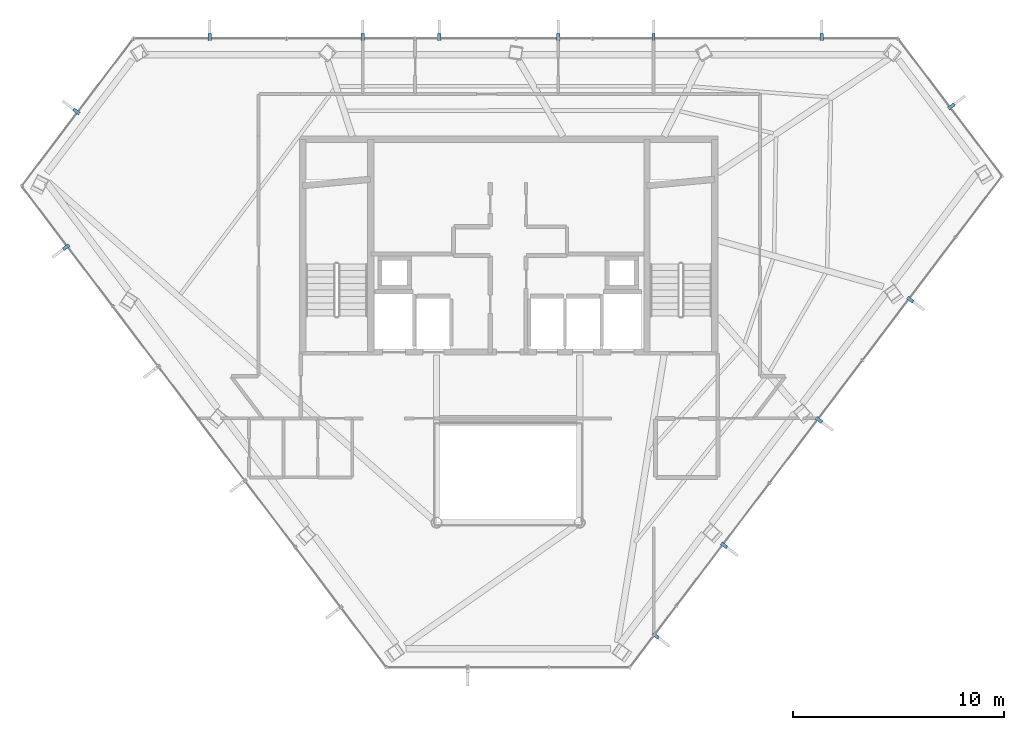
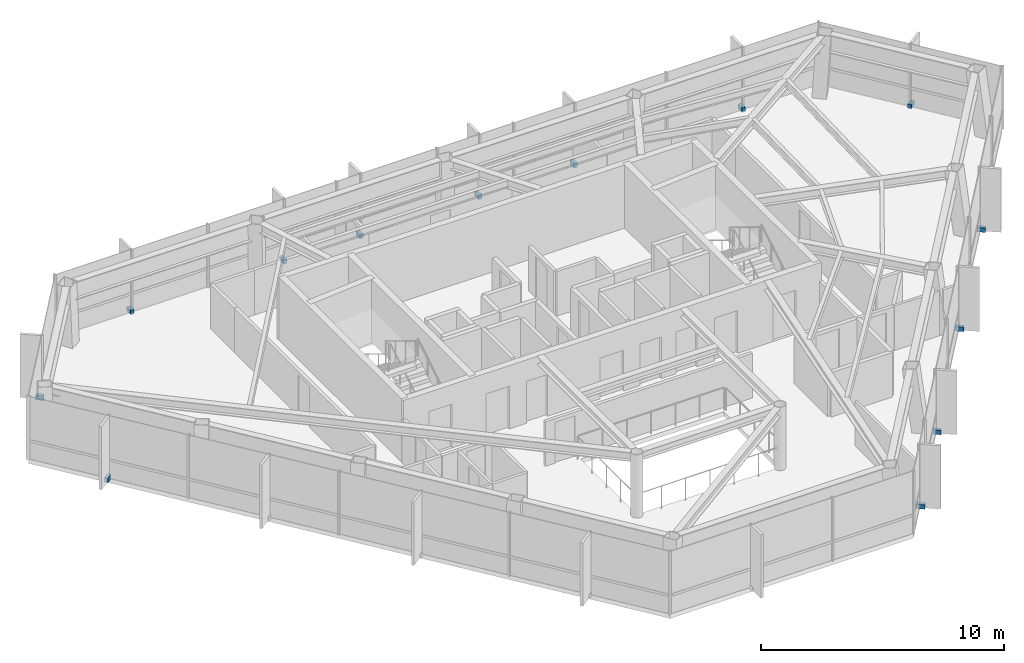
# One storey, part 26 of 27: 13 discrete accessories.
"""IFC4 building model written with IfcOpenShell, lengths in metres."""

from ifc_helpers import new_model, si_unit, direction, frame, origin, origin_2d, place, context, subcontext, project, spatial, rectangle, extrude, material, type_object, element, save


model = new_model("IFC4")

# Units and contexts
model_context = context("Model", 3, precision=1e-05, world=origin(), true_north=direction((0.0, 1.0)))
body_context = subcontext(model_context, "Body", "Model", "MODEL_VIEW")
ifc_project = project(units=[si_unit("LENGTHUNIT", "METRE"), si_unit("AREAUNIT", "SQUARE_METRE"), si_unit("VOLUMEUNIT", "CUBIC_METRE"), si_unit("PLANEANGLEUNIT", "RADIAN"), si_unit("MASSUNIT", "GRAM", prefix="KILO")], contexts=[model_context])

# Site, building, storey
site_placement = place(None, origin())
site = spatial("IfcSite", under=ifc_project, at=site_placement, CompositionType="ELEMENT")
building_placement = place(site_placement, origin())
building = spatial("IfcBuilding", under=site, at=building_placement, Name="Zarrinselat Tower", CompositionType="ELEMENT")
storey_placement = place(building_placement, frame((0.0, 0.0, 235.9599609375)))
storey = spatial("IfcBuildingStorey", under=building, at=storey_placement, Name="L59", CompositionType="ELEMENT", Elevation=235.9599609375)

# Discrete accessories
ifc_material = material(Name="Steel S355J2", Category="steel")
discrete_accessory_type = type_object("IfcDiscreteAccessoryType", Name="ACC-FIN-BRACKET", PredefinedType="BRACKET", material=ifc_material)
for number, where, z_axis, x_axis, name in (
    (1, (53.284912109375, 48.247802734375, -0.0498046875), (0.0, 0.0, 1.0), (0.0, 1.0, 0.0), "L59 Fin Fixing Bracket CW-L59-E01-01"),
    (2, (45.300048828125, 48.247802734375, -0.0498046875), (0.0, 0.0, 1.0), (0.0, 1.0, 0.0), "L59 Fin Fixing Bracket CW-L59-E01-03"),
    (3, (40.773681640625, 48.247802734375, -0.0498046875), (0.0, 0.0, 1.0), (0.0, 1.0, 0.0), "L59 Fin Fixing Bracket CW-L59-E01-05"),
    (4, (35.133056640625, 48.247802734375, -0.0498046875), (0.0, 0.0, 1.0), (0.0, 1.0, 0.0), "L59 Fin Fixing Bracket CW-L59-E01-07"),
    (5, (31.5, 48.247802734375, -0.0498046875), (0.0, 0.0, 1.0), (0.0, 1.0, 0.0), "L59 Fin Fixing Bracket CW-L59-E01-09"),
    (6, (24.241943359375, 48.247802734375, -0.0498046875), (0.0, 0.0, 1.0), (0.0, 1.0, 0.0), "L59 Fin Fixing Bracket CW-L59-E01-11"),
    (7, (17.905517578125, 44.721923828125, -0.0498046875), (0.0, 0.0, 1.0), (-0.797093643742, 0.603855713814, 0.0), "L59 Fin Fixing Bracket CW-L59-E02-01"),
    (8, (17.419189453125, 38.283203125, -0.0498046875), (0.0, 0.0, 1.0), (-0.7970923517, -0.603857419315, 0.0), "L59 Fin Fixing Bracket CW-L59-E03-01"),
    (9, (45.403564453125, 19.833251953125, -0.0498046875), (0.0, 0.0, 1.0), (0.797091251037, -0.603858872188, 0.0), "L59 Fin Fixing Bracket CW-L59-E05-01"),
    (10, (48.65380859375, 24.12353515625, -0.0498046875), (0.0, 0.0, 1.0), (0.797091251037, -0.603858872188, 0.0), "L59 Fin Fixing Bracket CW-L59-E05-03"),
    (11, (53.159912109375, 30.071533203125, -0.0498046875), (0.0, 0.0, 1.0), (0.797091251037, -0.603858872188, 0.0), "L59 Fin Fixing Bracket CW-L59-E05-05"),
    (12, (57.489990234375, 35.787109375, -0.0498046875), (0.0, 0.0, 1.0), (0.797091251037, -0.603858872188, 0.0), "L59 Fin Fixing Bracket CW-L59-E05-07"),
    (13, (59.439453125, 44.961669921875, -0.0498046875), (0.0, 0.0, 1.0), (0.797091791346, 0.603858158982, 0.0), "L59 Fin Fixing Bracket CW-L59-E06-01"),
):
    element("IfcDiscreteAccessory", number, at=place(storey_placement, frame(where, z_axis=z_axis, x_axis=x_axis)), inside=storey, type_object=discrete_accessory_type, Name=name, PredefinedType="BRACKET", context=body_context, shape_type="SweptSolid", body=[
        extrude(rectangle(XDim=0.340087890625, YDim=0.159912109375, at=origin_2d()), origin(), (0.0, 0.0, 1.0), 0.219970703125),
    ])

save(model, "model.ifc")
